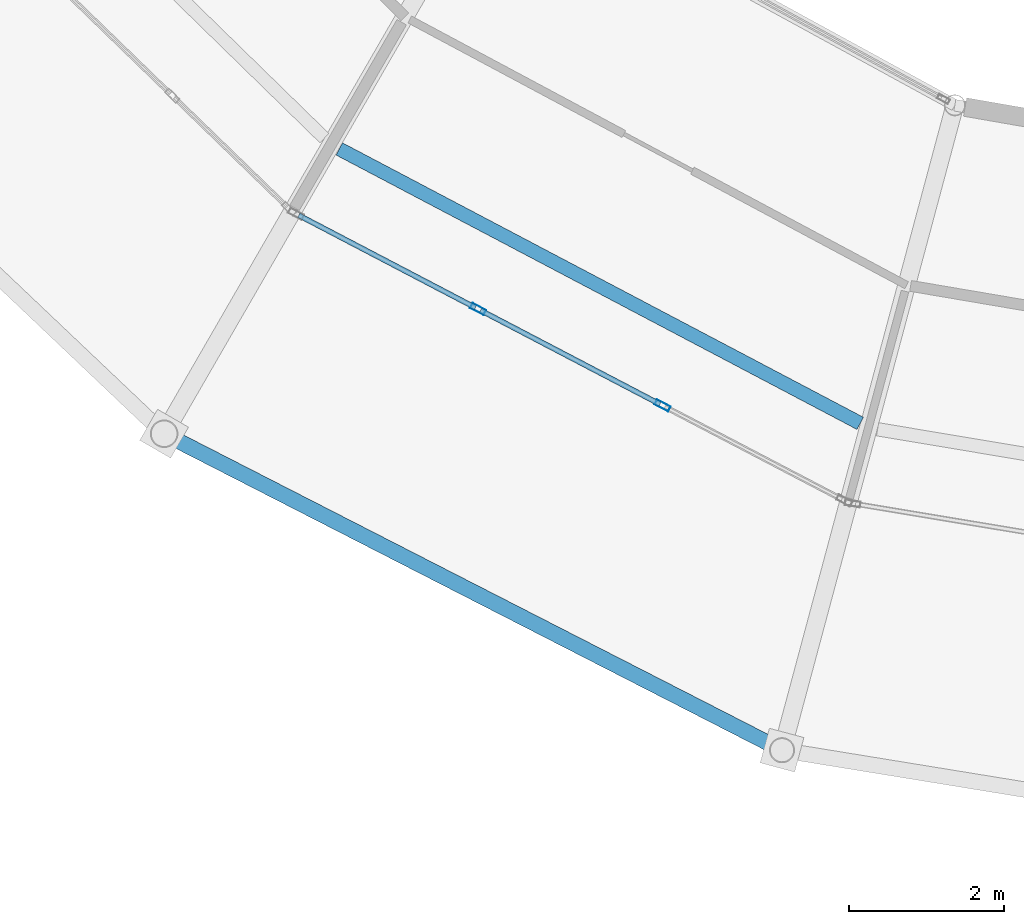
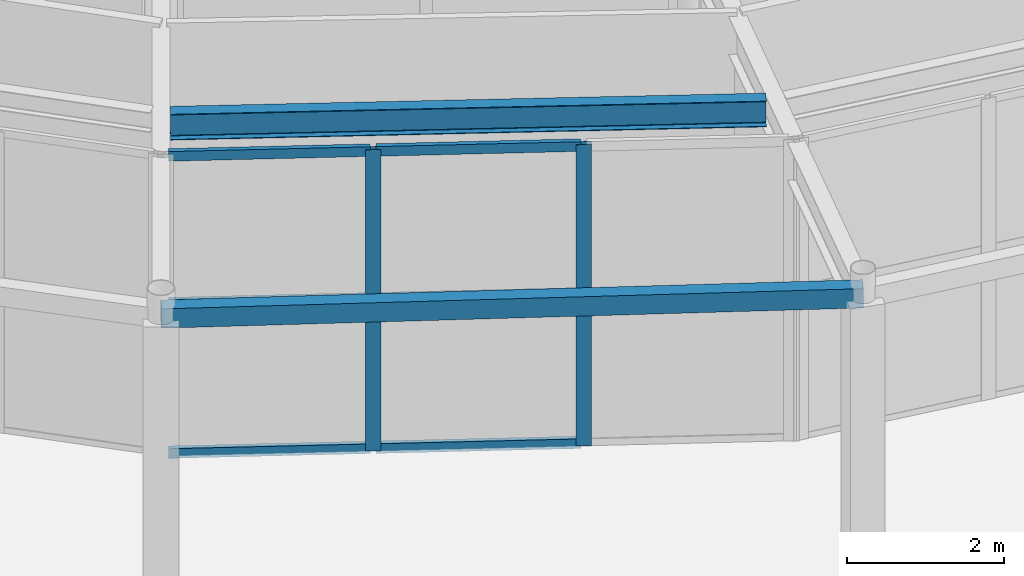
# One storey, part 24 of 144: 8 members, 2 beams, 1 element without a shape of its own.
"""IFC4 building model written with IfcOpenShell, lengths in metres."""

from ifc_helpers import new_model, si_unit, direction, frame, origin, origin_2d, place, context, subcontext, project, spatial, hollow_rectangle, i_section, extrude, material, material_profile, profile_set, type_object, element, aggregate, save


model = new_model("IFC4")

# Units and contexts
model_context = context("Model", 3, precision=1e-05, world=origin(), true_north=direction((0.0, 1.0)))
body_context = subcontext(model_context, "Body", "Model", "MODEL_VIEW")
ifc_project = project(units=[si_unit("LENGTHUNIT", "METRE"), si_unit("AREAUNIT", "SQUARE_METRE"), si_unit("VOLUMEUNIT", "CUBIC_METRE"), si_unit("PLANEANGLEUNIT", "RADIAN"), si_unit("MASSUNIT", "GRAM", prefix="KILO")], contexts=[model_context])

# Site, building, storey
site_placement = place(None, origin())
site = spatial("IfcSite", under=ifc_project, at=site_placement, CompositionType="ELEMENT")
building_placement = place(site_placement, origin())
building = spatial("IfcBuilding", under=site, at=building_placement, Name="Karori Crest Natural Sciences Institute", CompositionType="ELEMENT")
storey_placement = place(building_placement, origin())
storey = spatial("IfcBuildingStorey", under=building, at=storey_placement, Name="L00", CompositionType="ELEMENT", Elevation=0.0)

# Beams
ifc_material_1 = material(Name="Hollow structural steel AS/NZS 1163 Grade C350", Category="steel")
ifc_material_profile_1 = material_profile(ifc_material_1, hollow_rectangle(XDim=0.199951171875, YDim=0.300048828125, WallThickness=0.010009765625, at=origin_2d()), Name="RHS300x200x10")
ifc_profile_set_1 = profile_set([ifc_material_profile_1], Name="Hollow structural steel AS/NZS 1163 Grade C350")
beam_type_1 = type_object("IfcBeamType", Name="BT-15", PredefinedType="SPANDREL", material=ifc_profile_set_1)
beam_1_placement = place(storey_placement, frame((49.89990234375, 14.566162109375, 4.489990234375), z_axis=(0.890071733872, -0.455820478436, 0.0), x_axis=(0.455820478436, 0.890071733872, 0.0)))
element("IfcBeam", 1, at=beam_1_placement, inside=storey, type_object=beam_type_1, Name="Beam B-0150", PredefinedType="SPANDREL", context=body_context, shape_type="SweptSolid", body=[
    extrude(hollow_rectangle(XDim=0.199951171875, YDim=0.300048828125, WallThickness=0.010009765625, at=origin_2d()), origin(), (0.0, 0.0, 1.0), 8.94189453125),
])
ifc_material_2 = material(Name="Structural steel AS/NZS 3679.1 Grade 350", Category="steel")
ifc_material_profile_2 = material_profile(ifc_material_2, i_section(OverallWidth=0.177978515625, OverallDepth=0.403076171875, WebThickness=0.007568359375, FlangeThickness=0.010986328125, FilletRadius=0.010986328125, at=origin_2d()), Name="410UB53.7")
ifc_profile_set_2 = profile_set([ifc_material_profile_2], Name="Structural steel AS/NZS 3679.1 Grade 350")
beam_type_2 = type_object("IfcBeamType", Name="BT-29", PredefinedType="BEAM", material=ifc_profile_set_2)
beam_2_placement = place(storey_placement, frame((52.15625, 18.234130859375, 4.4384765625), z_axis=(0.884748465601, -0.466068828197, 0.0), x_axis=(0.466068828197, 0.884748465601, 0.0)))
element("IfcBeam", 2, at=beam_2_placement, inside=storey, type_object=beam_type_2, Name="Beam B-0153", PredefinedType="BEAM", context=body_context, shape_type="SweptSolid", body=[
    extrude(i_section(OverallWidth=0.177978515625, OverallDepth=0.403076171875, WebThickness=0.007568359375, FlangeThickness=0.010986328125, FilletRadius=0.010986328125, at=origin_2d()), origin(), (0.0, 0.0, 1.0), 7.58349609375),
])

# Curtain wall, members
ifc_material_3 = material(Name="Anodised architectural aluminium 6063-T6", Category="aluminium")
curtain_wall_type = type_object("IfcCurtainWallType", Name="CWT-07", PredefinedType="NOTDEFINED", material=ifc_material_3)
curtain_wall_placement = place(storey_placement, origin())
curtain_wall = element("IfcCurtainWall", 3, at=curtain_wall_placement, inside=storey, type_object=curtain_wall_type, Name="Curtain wall CW-0021", PredefinedType="NOTDEFINED")
ifc_material_profile_3 = material_profile(ifc_material_3, hollow_rectangle(XDim=0.074951171875, YDim=0.199951171875, WallThickness=0.0048828125, at=origin_2d()), Name="CWM200x75x5")
ifc_profile_set_3 = profile_set([ifc_material_profile_3], Name="Anodised architectural aluminium 6063-T6")
member_type_1 = type_object("IfcMemberType", Name="CWM-02", PredefinedType="MULLION", material=ifc_profile_set_3)
member_1_placement = place(storey_placement, frame((56.319580078125, 14.9296875, 0.0), z_axis=(0.0, 0.0, 1.0), x_axis=(-0.46342574094, -0.88613575858, 0.0)))
member_1 = element("IfcMember", 4, at=member_1_placement, type_object=member_type_1, Name="CW-0021 mullion 2", PredefinedType="MULLION", context=body_context, shape_type="SweptSolid", body=[
    extrude(hollow_rectangle(XDim=0.074951171875, YDim=0.199951171875, WallThickness=0.0048828125, at=origin_2d()), origin(), (0.0, 0.0, 1.0), 4.679931640625),
])
member_2_placement = place(storey_placement, frame((53.943603515625, 16.172119140625, 0.0), z_axis=(0.0, 0.0, 1.0), x_axis=(-0.46342574094, -0.88613575858, 0.0)))
member_2 = element("IfcMember", 5, at=member_2_placement, type_object=member_type_1, Name="CW-0021 mullion 3", PredefinedType="MULLION", context=body_context, shape_type="SweptSolid", body=[
    extrude(hollow_rectangle(XDim=0.074951171875, YDim=0.199951171875, WallThickness=0.0048828125, at=origin_2d()), origin(), (0.0, 0.0, 1.0), 4.679931640625),
])
ifc_material_profile_4 = material_profile(ifc_material_3, hollow_rectangle(XDim=0.06494140625, YDim=0.14990234375, WallThickness=0.00390625, at=origin_2d()), Name="CWT150x65x4")
ifc_profile_set_4 = profile_set([ifc_material_profile_4], Name="Anodised architectural aluminium 6063-T6")
member_type_2 = type_object("IfcMemberType", Name="CWT-TR2", PredefinedType="USERDEFINED", material=ifc_profile_set_4)
member_3_placement = place(storey_placement, frame((56.286376953125, 14.947021484375, 0.032470703125), z_axis=(-0.886148517115, 0.463401343993, 0.0), x_axis=(-0.463401343993, -0.886148517115, 0.0)))
member_3 = element("IfcMember", 6, at=member_3_placement, type_object=member_type_2, Name="CW-0021 transom 2.1", ObjectType="TRANSOM", PredefinedType="USERDEFINED", context=body_context, shape_type="SweptSolid", body=[
    extrude(hollow_rectangle(XDim=0.06494140625, YDim=0.14990234375, WallThickness=0.00390625, at=origin_2d()), origin(), (0.0, 0.0, 1.0), 2.606201171875),
])
member_4_placement = place(storey_placement, frame((56.286376953125, 14.947021484375, 2.340087890625), z_axis=(-0.886148517115, 0.463401343993, 0.0), x_axis=(-0.463401343993, -0.886148517115, 0.0)))
member_4 = element("IfcMember", 7, at=member_4_placement, type_object=member_type_2, Name="CW-0021 transom 2.2", ObjectType="TRANSOM", PredefinedType="USERDEFINED", context=body_context, shape_type="SweptSolid", body=[
    extrude(hollow_rectangle(XDim=0.06494140625, YDim=0.14990234375, WallThickness=0.00390625, at=origin_2d()), origin(), (0.0, 0.0, 1.0), 2.606201171875),
])
member_5_placement = place(storey_placement, frame((56.286376953125, 14.947021484375, 4.6474609375), z_axis=(-0.886148517115, 0.463401343993, 0.0), x_axis=(-0.463401343993, -0.886148517115, 0.0)))
member_5 = element("IfcMember", 8, at=member_5_placement, type_object=member_type_2, Name="CW-0021 transom 2.3", ObjectType="TRANSOM", PredefinedType="USERDEFINED", context=body_context, shape_type="SweptSolid", body=[
    extrude(hollow_rectangle(XDim=0.06494140625, YDim=0.14990234375, WallThickness=0.00390625, at=origin_2d()), origin(), (0.0, 0.0, 1.0), 2.606201171875),
])
member_6_placement = place(storey_placement, frame((53.910400390625, 16.189453125, 0.032470703125), z_axis=(-0.886123434904, 0.463449304794, 0.0), x_axis=(-0.463449304794, -0.886123434904, 0.0)))
member_6 = element("IfcMember", 9, at=member_6_placement, type_object=member_type_2, Name="CW-0021 transom 3.1", ObjectType="TRANSOM", PredefinedType="USERDEFINED", context=body_context, shape_type="SweptSolid", body=[
    extrude(hollow_rectangle(XDim=0.06494140625, YDim=0.14990234375, WallThickness=0.00390625, at=origin_2d()), origin(), (0.0, 0.0, 1.0), 2.568603515625),
])
member_7_placement = place(storey_placement, frame((53.910400390625, 16.189453125, 2.340087890625), z_axis=(-0.886123434904, 0.463449304794, 0.0), x_axis=(-0.463449304794, -0.886123434904, 0.0)))
member_7 = element("IfcMember", 10, at=member_7_placement, type_object=member_type_2, Name="CW-0021 transom 3.2", ObjectType="TRANSOM", PredefinedType="USERDEFINED", context=body_context, shape_type="SweptSolid", body=[
    extrude(hollow_rectangle(XDim=0.06494140625, YDim=0.14990234375, WallThickness=0.00390625, at=origin_2d()), origin(), (0.0, 0.0, 1.0), 2.568603515625),
])
member_8_placement = place(storey_placement, frame((53.910400390625, 16.189453125, 4.6474609375), z_axis=(-0.886123434904, 0.463449304794, 0.0), x_axis=(-0.463449304794, -0.886123434904, 0.0)))
member_8 = element("IfcMember", 11, at=member_8_placement, type_object=member_type_2, Name="CW-0021 transom 3.3", ObjectType="TRANSOM", PredefinedType="USERDEFINED", context=body_context, shape_type="SweptSolid", body=[
    extrude(hollow_rectangle(XDim=0.06494140625, YDim=0.14990234375, WallThickness=0.00390625, at=origin_2d()), origin(), (0.0, 0.0, 1.0), 2.568603515625),
])
aggregate(curtain_wall, [member_1, member_2, member_3, member_4, member_5, member_6, member_7, member_8])

save(model, "model.ifc")
